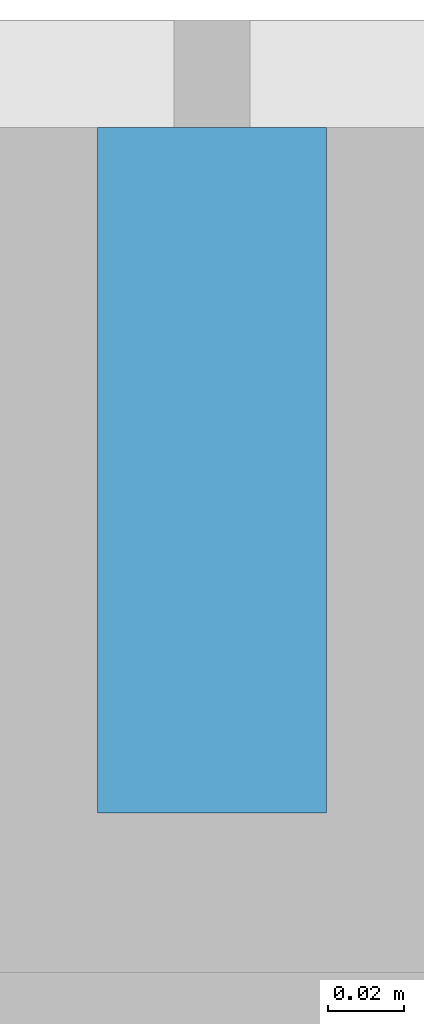
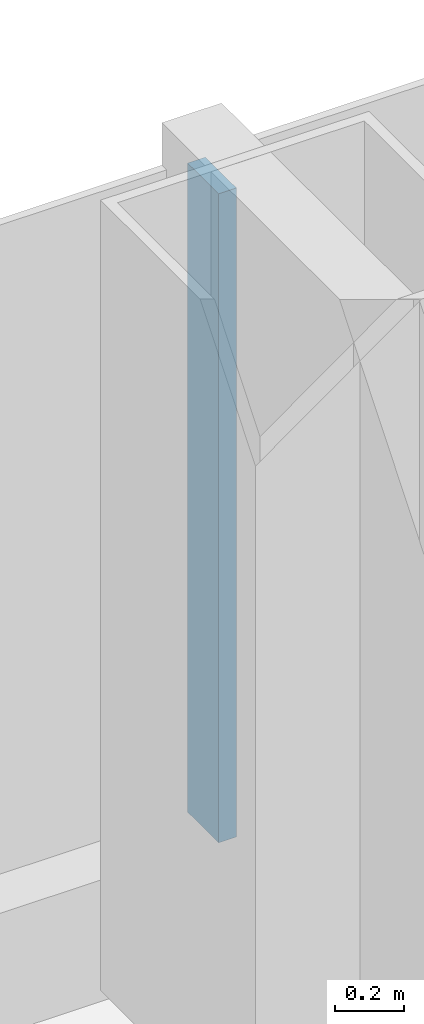
# One storey, part 7 of 28: 1 member, 1 element without a shape of its own.
"""IFC4 building model written with IfcOpenShell, lengths in metres."""

from ifc_helpers import new_model, si_unit, direction, frame, origin, origin_2d, place, context, subcontext, project, spatial, rectangle, extrude, material, layer, layer_set, material_profile, profile_set, type_object, element, aggregate, save


model = new_model("IFC4")

# Units and contexts
model_context = context("Model", 3, precision=1e-05, world=origin(), true_north=direction((0.0, 1.0)))
body_context = subcontext(model_context, "Body", "Model", "MODEL_VIEW")
ifc_project = project(units=[si_unit("LENGTHUNIT", "METRE"), si_unit("AREAUNIT", "SQUARE_METRE"), si_unit("VOLUMEUNIT", "CUBIC_METRE"), si_unit("PLANEANGLEUNIT", "RADIAN"), si_unit("MASSUNIT", "GRAM", prefix="KILO")], contexts=[model_context])

# Site, building, storey
site_placement = place(None, origin())
site = spatial("IfcSite", under=ifc_project, at=site_placement, CompositionType="ELEMENT")
building_placement = place(site_placement, origin())
building = spatial("IfcBuilding", under=site, at=building_placement, Name="Hakoniwa Tower and Hamabe Station Hall", CompositionType="ELEMENT")
storey_placement = place(building_placement, frame((0.0, 0.0, 35.800048828125)))
storey = spatial("IfcBuildingStorey", under=building, at=storey_placement, Name="L09", CompositionType="ELEMENT", Elevation=35.800048828125)

# Curtain wall, member
ifc_material_1 = material(Name="Dark low-e laminated glass", Category="glass")
ifc_layer = layer(ifc_material_1, 0.199951171875)
ifc_layer_set = layer_set([ifc_layer], Name="CW-1 UNITISED GUEST")
curtain_wall_type = type_object("IfcCurtainWallType", Name="CW-1 UNITISED GUEST", PredefinedType="NOTDEFINED", material=ifc_layer_set)
curtain_wall_placement = place(storey_placement, origin())
curtain_wall = element("IfcCurtainWall", 1, at=curtain_wall_placement, inside=storey, type_object=curtain_wall_type, Name="CW-1 curtain wall", PredefinedType="NOTDEFINED")
ifc_material_2 = material(Name="Aluminium 6063-T5 black anodised", Category="aluminium")
ifc_material_profile = material_profile(ifc_material_2, rectangle(XDim=0.06005859375, YDim=0.179931640625, at=origin_2d()), Name="CW-1 MULLION 60X180")
ifc_profile_set = profile_set([ifc_material_profile], Name="Aluminium 6063-T5 black anodised")
member_type = type_object("IfcMemberType", Name="CW-1 MULLION 60X180", PredefinedType="MULLION", material=ifc_profile_set)
member_placement = place(storey_placement, frame((0.0, 20.181884765625, 0.349853515625), z_axis=(0.0, 0.0, 1.0), x_axis=(-1.0, 0.0, 0.0)))
member = element("IfcMember", 2, at=member_placement, type_object=member_type, Name="CW-1 mullion", PredefinedType="MULLION", context=body_context, shape_type="SweptSolid", body=[
    extrude(rectangle(XDim=0.06005859375, YDim=0.179931640625, at=origin_2d()), origin(), (0.0, 0.0, 1.0), 2.300048828125),
])
aggregate(curtain_wall, [member])

save(model, "model.ifc")
